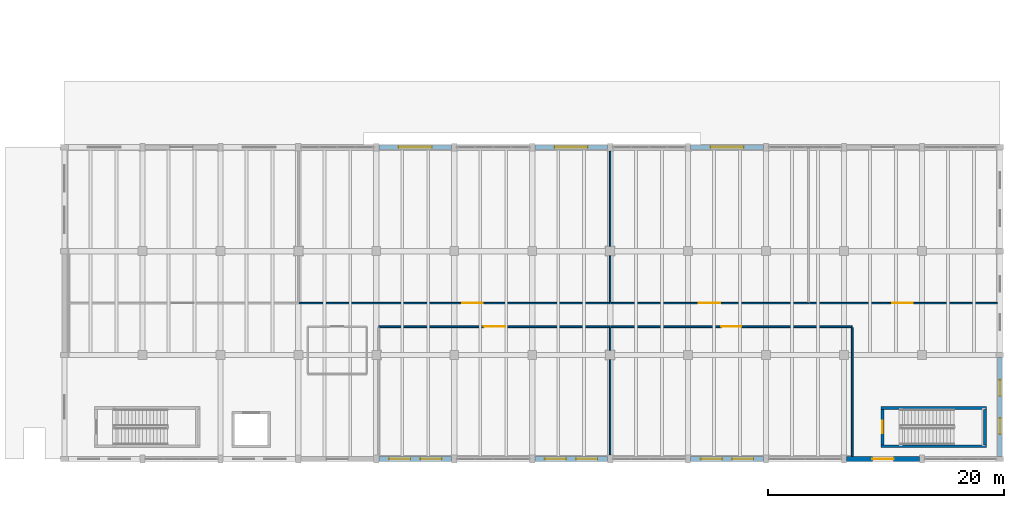
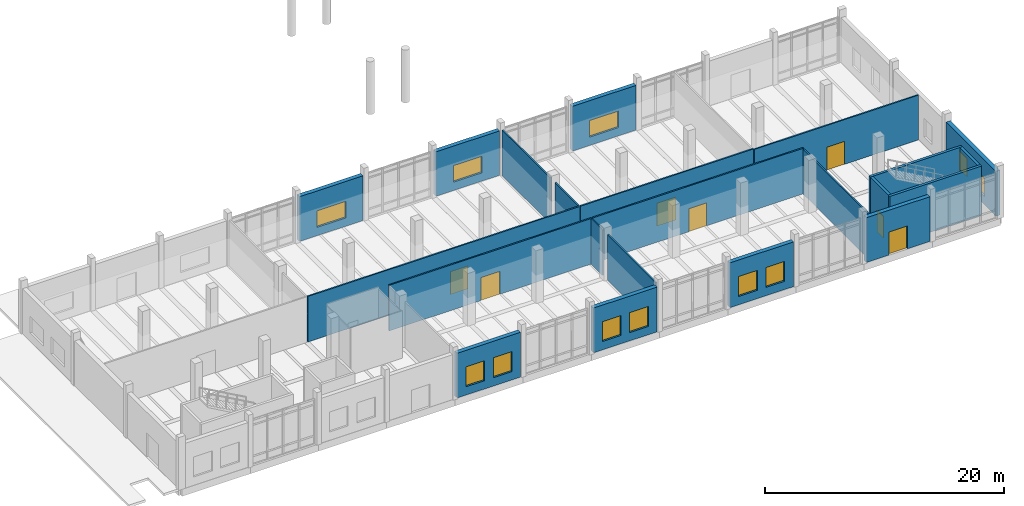
# One storey, part 53 of 72: 22 walls, 11 windows, 7 doors, 18 openings.
"""IFC4 building model written with IfcOpenShell, lengths in metres."""

from ifc_helpers import new_model, si_unit, direction, frame, frame_2d, origin, place, context, subcontext, project, spatial, rectangle, extrude, material, layer, layer_set, type_object, element, fill, save


model = new_model("IFC4")

# Units and contexts
model_context = context("Model", 3, precision=1e-05, world=origin(), true_north=direction((0.0, 1.0)))
body_context = subcontext(model_context, "Body", "Model", "MODEL_VIEW")
ifc_project = project(units=[si_unit("LENGTHUNIT", "METRE"), si_unit("AREAUNIT", "SQUARE_METRE"), si_unit("VOLUMEUNIT", "CUBIC_METRE"), si_unit("PLANEANGLEUNIT", "RADIAN"), si_unit("MASSUNIT", "GRAM", prefix="KILO")], contexts=[model_context])

# Site, building, storey
site_placement = place(None, origin())
site = spatial("IfcSite", under=ifc_project, at=site_placement, CompositionType="ELEMENT")
building_placement = place(site_placement, origin())
building = spatial("IfcBuilding", under=site, at=building_placement, Name="Dornvale Research Institute", CompositionType="ELEMENT")
storey_placement = place(building_placement, origin())
storey = spatial("IfcBuildingStorey", under=building, at=storey_placement, Name="L00", CompositionType="ELEMENT", Elevation=0.0)

# Wall, opening, door
ifc_material_1 = material(Name="Epoxy-Coated Aluminum Honeycomb Cleanroom Partition", Category="aluminium")
ifc_layer_1 = layer(ifc_material_1, 0.139892578125)
ifc_layer_set_1 = layer_set([ifc_layer_1], Name="Epoxy-Coated Aluminum Honeycomb Cleanroom Partition")
wall_type_1 = type_object("IfcWallType", Name="Partition_Cleanroom_140", PredefinedType="PARTITIONING", material=ifc_layer_set_1)
wall_1_placement = place(storey_placement, frame((118.885009765625, 13.199951171875, 0.0), z_axis=(0.0, 0.0, 1.0), x_axis=(1.0, 0.0, 0.0)))
wall_1 = element("IfcWall", 1, at=wall_1_placement, inside=storey, type_object=wall_type_1, Name="L00 V3 interior partition #117", PredefinedType="PARTITIONING", context=body_context, shape_type="SweptSolid", body=[
    extrude(rectangle(XDim=26.31494140625, YDim=0.139892578125, at=frame_2d((13.157470703125, 0.0))), origin(), (0.0, 0.0, 1.0), 4.6650390625),
])
opening_1_placement = place(wall_1_placement, frame((13.804931640625, 0.0, 0.0)))
opening_1 = element("IfcOpeningElement", 2, at=opening_1_placement, cuts=wall_1, Name="Opening ID-03", PredefinedType="OPENING", context=body_context, shape_type="SweptSolid", body=[
    extrude(rectangle(XDim=1.719970703125, YDim=2.35009765625, at=frame_2d((0.85986328125, 1.175048828125))), frame((0.0, 0.0849609375, 0.0), z_axis=(0.0, -1.0, 0.0), x_axis=(1.0, 0.0, 0.0)), (0.0, 0.0, 1.0), 0.169921875),
])
ifc_material_2 = material(Name="Insulated Fire-Rated Hollow Metal Door Assembly")
door_type_1 = type_object("IfcDoorType", Name="Door_CleanBay_1720x2350", OperationType="SINGLE_SWING_LEFT", PredefinedType="DOOR", material=ifc_material_2)
door_1_placement = place(opening_1_placement, origin())
door_1 = element("IfcDoor", 3, at=door_1_placement, inside=storey, type_object=door_type_1, Name="L00 ISO Class 5 Photolithography Cleanroom Bay door #50", OperationType="DOUBLE_DOOR_SINGLE_SWING", OverallHeight=2.35009765625, OverallWidth=1.719970703125, PredefinedType="DOOR", context=body_context, shape_type="SweptSolid", body=[
    extrude(rectangle(XDim=1.719970703125, YDim=2.35009765625, at=frame_2d((0.85986328125, 1.175048828125))), frame((0.0, 0.02490234375, 0.0), z_axis=(0.0, -1.0, 0.0), x_axis=(1.0, 0.0, 0.0)), (0.0, 0.0, 1.0), 0.050048828125),
])
fill(opening_1, door_1)

# Walls
wall_2_placement = place(storey_placement, frame((145.199951171875, 13.284912109375, 0.0), z_axis=(0.0, 0.0, 1.0), x_axis=(0.0, 1.0, 0.0)))
element("IfcWall", 4, at=wall_2_placement, inside=storey, type_object=wall_type_1, Name="L00 V3 interior partition #118", PredefinedType="PARTITIONING", context=body_context, shape_type="SweptSolid", body=[
    extrude(rectangle(XDim=3.920166015625, YDim=0.139892578125, at=frame_2d((1.9599609375, 0.0))), origin(), (0.0, 0.0, 1.0), 4.6650390625),
])
wall_3_placement = place(storey_placement, frame((145.199951171875, 17.9951171875, 0.0), z_axis=(0.0, 0.0, 1.0), x_axis=(0.0, 1.0, 0.0)))
element("IfcWall", 5, at=wall_3_placement, inside=storey, type_object=wall_type_1, Name="L00 V3 interior partition #119", PredefinedType="PARTITIONING", context=body_context, shape_type="SweptSolid", body=[
    extrude(rectangle(XDim=8.059814453125, YDim=0.139892578125, at=frame_2d((4.02978515625, 0.0))), origin(), (0.0, 0.0, 1.0), 4.6650390625),
])

# Wall, opening, door
wall_4_placement = place(storey_placement, frame((145.284912109375, 13.199951171875, 0.0), z_axis=(0.0, 0.0, 1.0), x_axis=(1.0, 0.0, 0.0)))
wall_4 = element("IfcWall", 6, at=wall_4_placement, inside=storey, type_object=wall_type_1, Name="L00 V3 interior partition #120", PredefinedType="PARTITIONING", context=body_context, shape_type="SweptSolid", body=[
    extrude(rectangle(XDim=16.715087890625, YDim=0.139892578125, at=frame_2d((8.357421875, 0.0))), origin(), (0.0, 0.0, 1.0), 4.6650390625),
])
opening_2_placement = place(wall_4_placement, frame((7.405029296875, 0.0, 0.0)))
opening_2 = element("IfcOpeningElement", 7, at=opening_2_placement, cuts=wall_4, Name="Opening ID-02", PredefinedType="OPENING", context=body_context, shape_type="SweptSolid", body=[
    extrude(rectangle(XDim=1.820068359375, YDim=2.35009765625, at=frame_2d((0.91015625, 1.175048828125))), frame((0.0, 0.0849609375, 0.0), z_axis=(0.0, -1.0, 0.0), x_axis=(1.0, 0.0, 0.0)), (0.0, 0.0, 1.0), 0.169921875),
])
ifc_material_3 = material(Name="Insulated Fire-Rated Hollow Metal Door Assembly")
door_type_2 = type_object("IfcDoorType", Name="Door_CleanAirlock_1820x2350", OperationType="SINGLE_SWING_LEFT", PredefinedType="DOOR", material=ifc_material_3)
door_2_placement = place(opening_2_placement, origin())
door_2 = element("IfcDoor", 8, at=door_2_placement, inside=storey, type_object=door_type_2, Name="L00 Electron-Beam Nanofabrication Cleanroom door #51", OperationType="DOUBLE_DOOR_SINGLE_SWING", OverallHeight=2.35009765625, OverallWidth=1.820068359375, PredefinedType="DOOR", context=body_context, shape_type="SweptSolid", body=[
    extrude(rectangle(XDim=1.820068359375, YDim=2.35009765625, at=frame_2d((0.91015625, 1.175048828125))), frame((0.0, 0.02490234375, 0.0), z_axis=(0.0, -1.0, 0.0), x_axis=(1.0, 0.0, 0.0)), (0.0, 0.0, 1.0), 0.050048828125),
])
fill(opening_2, door_2)

wall_5_placement = place(storey_placement, frame((162.0849609375, 13.199951171875, 0.0), z_axis=(0.0, 0.0, 1.0), x_axis=(1.0, 0.0, 0.0)))
wall_5 = element("IfcWall", 9, at=wall_5_placement, inside=storey, type_object=wall_type_1, Name="L00 V3 interior partition #122", PredefinedType="PARTITIONING", context=body_context, shape_type="SweptSolid", body=[
    extrude(rectangle(XDim=15.900146484375, YDim=0.139892578125, at=frame_2d((7.9501953125, 0.0))), origin(), (0.0, 0.0, 1.0), 4.580078125),
])
opening_3_placement = place(wall_5_placement, frame((7.014892578125, 0.0, 0.0)))
opening_3 = element("IfcOpeningElement", 10, at=opening_3_placement, cuts=wall_5, Name="Opening ID-03", PredefinedType="OPENING", context=body_context, shape_type="SweptSolid", body=[
    extrude(rectangle(XDim=1.719970703125, YDim=2.35009765625, at=frame_2d((0.85986328125, 1.175048828125))), frame((0.0, 0.0849609375, 0.0), z_axis=(0.0, -1.0, 0.0), x_axis=(1.0, 0.0, 0.0)), (0.0, 0.0, 1.0), 0.169921875),
])
door_3_placement = place(opening_3_placement, origin())
door_3 = element("IfcDoor", 11, at=door_3_placement, inside=storey, type_object=door_type_1, Name="L00 Atomic Force Metrology Suite door #52", OperationType="DOUBLE_DOOR_SINGLE_SWING", OverallHeight=2.35009765625, OverallWidth=1.719970703125, PredefinedType="DOOR", context=body_context, shape_type="SweptSolid", body=[
    extrude(rectangle(XDim=1.719970703125, YDim=2.35009765625, at=frame_2d((0.85986328125, 1.175048828125))), frame((0.0, 0.02490234375, 0.0), z_axis=(0.0, -1.0, 0.0), x_axis=(1.0, 0.0, 0.0)), (0.0, 0.0, 1.0), 0.050048828125),
])
fill(opening_3, door_3)

wall_6_placement = place(storey_placement, frame((125.60009765625, 11.199951171875, 0.0), z_axis=(0.0, 0.0, 1.0), x_axis=(1.0, 0.0, 0.0)))
wall_6 = element("IfcWall", 12, at=wall_6_placement, inside=storey, type_object=wall_type_1, Name="L00 V3 interior partition #123", PredefinedType="PARTITIONING", context=body_context, shape_type="SweptSolid", body=[
    extrude(rectangle(XDim=19.599853515625, YDim=0.139892578125, at=frame_2d((9.7998046875, 0.0))), origin(), (0.0, 0.0, 1.0), 4.6650390625),
])
opening_4_placement = place(wall_6_placement, frame((8.889892578125, 0.0, 0.0)))
opening_4 = element("IfcOpeningElement", 13, at=opening_4_placement, cuts=wall_6, Name="Opening ID-02", PredefinedType="OPENING", context=body_context, shape_type="SweptSolid", body=[
    extrude(rectangle(XDim=1.820068359375, YDim=2.35009765625, at=frame_2d((0.91015625, 1.175048828125))), frame((0.0, 0.0849609375, 0.0), z_axis=(0.0, -1.0, 0.0), x_axis=(1.0, 0.0, 0.0)), (0.0, 0.0, 1.0), 0.169921875),
])
door_4_placement = place(opening_4_placement, origin())
door_4 = element("IfcDoor", 14, at=door_4_placement, inside=storey, type_object=door_type_2, Name="L00 Cleanroom Return-Air Service Chase L00 door #53", OperationType="DOUBLE_DOOR_SINGLE_SWING", OverallHeight=2.35009765625, OverallWidth=1.820068359375, PredefinedType="DOOR", context=body_context, shape_type="SweptSolid", body=[
    extrude(rectangle(XDim=1.820068359375, YDim=2.35009765625, at=frame_2d((0.91015625, 1.175048828125))), frame((0.0, 0.02490234375, 0.0), z_axis=(0.0, -1.0, 0.0), x_axis=(1.0, 0.0, 0.0)), (0.0, 0.0, 1.0), 0.050048828125),
])
fill(opening_4, door_4)

# Walls
wall_7_placement = place(storey_placement, frame((145.199951171875, 0.344970703125, 0.0), z_axis=(0.0, 0.0, 1.0), x_axis=(0.0, 1.0, 0.0)))
element("IfcWall", 15, at=wall_7_placement, inside=storey, type_object=wall_type_1, Name="L00 V3 interior partition #126", PredefinedType="PARTITIONING", context=body_context, shape_type="SweptSolid", body=[
    extrude(rectangle(XDim=8.06005859375, YDim=0.139892578125, at=frame_2d((4.030029296875, 0.0))), origin(), (0.0, 0.0, 1.0), 4.6650390625),
])
wall_8_placement = place(storey_placement, frame((145.199951171875, 9.195068359375, 0.0), z_axis=(0.0, 0.0, 1.0), x_axis=(0.0, 1.0, 0.0)))
element("IfcWall", 16, at=wall_8_placement, inside=storey, type_object=wall_type_1, Name="L00 V3 interior partition #127", PredefinedType="PARTITIONING", context=body_context, shape_type="SweptSolid", body=[
    extrude(rectangle(XDim=1.919921875, YDim=0.139892578125, at=frame_2d((0.9599609375, 0.0))), origin(), (0.0, 0.0, 1.0), 4.6650390625),
])

# Wall, opening, door
wall_9_placement = place(storey_placement, frame((145.284912109375, 11.199951171875, 0.0), z_axis=(0.0, 0.0, 1.0), x_axis=(1.0, 0.0, 0.0)))
wall_9 = element("IfcWall", 17, at=wall_9_placement, inside=storey, type_object=wall_type_1, Name="L00 V3 interior partition #128", PredefinedType="PARTITIONING", context=body_context, shape_type="SweptSolid", body=[
    extrude(rectangle(XDim=20.4150390625, YDim=0.139892578125, at=frame_2d((10.20751953125, 0.0))), origin(), (0.0, 0.0, 1.0), 4.6650390625),
])
opening_5_placement = place(wall_9_placement, frame((9.304931640625, 0.0, 0.0)))
opening_5 = element("IfcOpeningElement", 18, at=opening_5_placement, cuts=wall_9, Name="Opening ID-03", PredefinedType="OPENING", context=body_context, shape_type="SweptSolid", body=[
    extrude(rectangle(XDim=1.719970703125, YDim=2.35009765625, at=frame_2d((0.85986328125, 1.175048828125))), frame((0.0, 0.0849609375, 0.0), z_axis=(0.0, -1.0, 0.0), x_axis=(1.0, 0.0, 0.0)), (0.0, 0.0, 1.0), 0.169921875),
])
door_5_placement = place(opening_5_placement, origin())
door_5 = element("IfcDoor", 19, at=door_5_placement, inside=storey, type_object=door_type_1, Name="L00 Nanometrology Calibration Suite L00 door #54", OperationType="DOUBLE_DOOR_SINGLE_SWING", OverallHeight=2.35009765625, OverallWidth=1.719970703125, PredefinedType="DOOR", context=body_context, shape_type="SweptSolid", body=[
    extrude(rectangle(XDim=1.719970703125, YDim=2.35009765625, at=frame_2d((0.85986328125, 1.175048828125))), frame((0.0, 0.02490234375, 0.0), z_axis=(0.0, -1.0, 0.0), x_axis=(1.0, 0.0, 0.0)), (0.0, 0.0, 1.0), 0.050048828125),
])
fill(opening_5, door_5)

# Walls
wall_10_placement = place(storey_placement, frame((165.699951171875, 0.215087890625, 0.0), z_axis=(0.0, 0.0, 1.0), x_axis=(0.0, 1.0, 0.0)))
element("IfcWall", 20, at=wall_10_placement, inside=storey, type_object=wall_type_1, Name="L00 V3 interior partition #129", PredefinedType="PARTITIONING", context=body_context, shape_type="SweptSolid", body=[
    extrude(rectangle(XDim=10.89990234375, YDim=0.139892578125, at=frame_2d((5.449951171875, 0.0))), origin(), (0.0, 0.0, 1.0), 4.580078125),
])
ifc_material_4 = material(Name="Concrete f'c 45 MPa (C35/45)", Category="concrete")
ifc_layer_2 = layer(ifc_material_4, 0.25)
ifc_layer_set_2 = layer_set([ifc_layer_2], Name="Concrete f'c 45 MPa (C35/45)")
wall_type_2 = type_object("IfcWallType", Name="ShearWall_Core_250", PredefinedType="SHEAR", material=ifc_layer_set_2)
for number, where, z_axis, x_axis, name in (
    (21, (168.14990234375, 1.074951171875, 0.0), (0.0, 0.0, 1.0), (1.0, 0.0, 0.0), "L00 ST-6 shaft shear wall south"),
    (22, (168.14990234375, 4.324951171875, 0.0), (0.0, 0.0, 1.0), (1.0, 0.0, 0.0), "L00 ST-6 shaft shear wall north"),
):
    element("IfcWall", number, at=place(storey_placement, frame(where, z_axis=z_axis, x_axis=x_axis)), inside=storey, type_object=wall_type_2, Name=name, PredefinedType="SHEAR", context=body_context, shape_type="SweptSolid", body=[
        extrude(rectangle(XDim=8.900146484375, YDim=0.25, at=frame_2d((4.4501953125, 0.0))), origin(), (0.0, 0.0, 1.0), 5.0400390625),
    ])

# Wall, opening, door
wall_11_placement = place(storey_placement, frame((168.27490234375, 1.199951171875, 0.0), z_axis=(0.0, 0.0, 1.0), x_axis=(0.0, 1.0, 0.0)))
wall_11 = element("IfcWall", 23, at=wall_11_placement, inside=storey, type_object=wall_type_2, Name="L00 ST-6 shaft shear wall west", PredefinedType="SHEAR", context=body_context, shape_type="SweptSolid", body=[
    extrude(rectangle(XDim=3.0, YDim=0.25, at=frame_2d((1.5, 0.0))), origin(), (0.0, 0.0, 1.0), 5.0400390625),
])
opening_6_placement = place(wall_11_placement, frame((0.9599609375, 0.0, 0.0)))
opening_6 = element("IfcOpeningElement", 24, at=opening_6_placement, cuts=wall_11, Name="Opening SD-02", PredefinedType="OPENING", context=body_context, shape_type="SweptSolid", body=[
    extrude(rectangle(XDim=1.080078125, YDim=2.199951171875, at=frame_2d((0.5400390625, 1.10009765625))), frame((0.0, 0.139892578125, 0.0), z_axis=(0.0, -1.0, 0.0), x_axis=(1.0, 0.0, 0.0)), (0.0, 0.0, 1.0), 0.280029296875),
])
ifc_material_5 = material(Name="Insulated Fire-Rated Hollow Metal Door Assembly")
door_type_3 = type_object("IfcDoorType", Name="Door_Stair_1080x2200", OperationType="SINGLE_SWING_LEFT", PredefinedType="DOOR", material=ifc_material_5)
door_6_placement = place(opening_6_placement, origin())
door_6 = element("IfcDoor", 25, at=door_6_placement, inside=storey, type_object=door_type_3, Name="L00 ST-6 exit stair door #47", OperationType="SINGLE_SWING_LEFT", OverallHeight=2.199951171875, OverallWidth=1.080078125, PredefinedType="DOOR", context=body_context, shape_type="SweptSolid", body=[
    extrude(rectangle(XDim=1.080078125, YDim=2.199951171875, at=frame_2d((0.5400390625, 1.10009765625))), frame((0.0, 0.02490234375, 0.0), z_axis=(0.0, -1.0, 0.0), x_axis=(1.0, 0.0, 0.0)), (0.0, 0.0, 1.0), 0.050048828125),
])
fill(opening_6, door_6)

# Wall
wall_12_placement = place(storey_placement, frame((176.925048828125, 1.199951171875, 0.0), z_axis=(0.0, 0.0, 1.0), x_axis=(0.0, 1.0, 0.0)))
element("IfcWall", 26, at=wall_12_placement, inside=storey, type_object=wall_type_2, Name="L00 ST-6 shaft shear wall east", PredefinedType="SHEAR", context=body_context, shape_type="SweptSolid", body=[
    extrude(rectangle(XDim=3.0, YDim=0.25, at=frame_2d((1.5, 0.0))), origin(), (0.0, 0.0, 1.0), 5.0400390625),
])

# Wall, opening, window
ifc_material_6 = material(Name="Precast Concrete f'c 40 MPa (C32/40) and Glazed Terracotta Backup Wall", Category="masonry")
ifc_layer_3 = layer(ifc_material_6, 0.39990234375)
ifc_layer_set_3 = layer_set([ifc_layer_3], Name="Precast Concrete f'c 40 MPa (C32/40) and Glazed Terracotta Backup Wall")
wall_type_3 = type_object("IfcWallType", Name="StandardWall_CleanroomExt_400", PredefinedType="STANDARD", material=ifc_layer_set_3)
wall_13_placement = place(storey_placement, frame((125.625, 26.39990234375, 0.0), z_axis=(0.0, 0.0, 1.0), x_axis=(1.0, 0.0, 0.0)))
wall_13 = element("IfcWall", 27, at=wall_13_placement, inside=storey, type_object=wall_type_3, Name="L00 V3 north exterior wall #116", PredefinedType="STANDARD", context=body_context, shape_type="SweptSolid", body=[
    extrude(rectangle(XDim=6.14990234375, YDim=0.39990234375, at=frame_2d((3.074951171875, 0.0))), origin(), (0.0, 0.0, 1.0), 4.580078125),
])
opening_7_placement = place(wall_13_placement, frame((1.675048828125, 0.0, 0.85009765625)))
opening_7 = element("IfcOpeningElement", 28, at=opening_7_placement, cuts=wall_13, Name="Opening W-23", PredefinedType="OPENING", context=body_context, shape_type="SweptSolid", body=[
    extrude(rectangle(XDim=2.800048828125, YDim=1.699951171875, at=frame_2d((1.39990234375, 0.85009765625))), frame((0.0, 0.21484375, 0.0), z_axis=(0.0, -1.0, 0.0), x_axis=(1.0, 0.0, 0.0)), (0.0, 0.0, 1.0), 0.429931640625),
])
ifc_material_7 = material(Name="Low-E Argon Double Insulating Glazing Unit", Category="glass")
window_type_1 = type_object("IfcWindowType", Name="Window_Alu_2800x1700_23", PartitioningType="DOUBLE_PANEL_VERTICAL", PredefinedType="WINDOW", material=ifc_material_7)
window_1_placement = place(opening_7_placement, origin())
window_1 = element("IfcWindow", 29, at=window_1_placement, inside=storey, type_object=window_type_1, Name="L00 V3 facade window W-23 #144", OverallHeight=1.699951171875, OverallWidth=2.800048828125, PartitioningType="DOUBLE_PANEL_VERTICAL", PredefinedType="WINDOW", context=body_context, shape_type="SweptSolid", body=[
    extrude(rectangle(XDim=2.800048828125, YDim=1.699951171875, at=frame_2d((1.39990234375, 0.85009765625))), frame((0.0, 0.030029296875, 0.0), z_axis=(0.0, -1.0, 0.0), x_axis=(1.0, 0.0, 0.0)), (0.0, 0.0, 1.0), 0.06005859375),
])
fill(opening_7, window_1)

wall_14_placement = place(storey_placement, frame((138.824951171875, 26.39990234375, 0.0), z_axis=(0.0, 0.0, 1.0), x_axis=(1.0, 0.0, 0.0)))
wall_14 = element("IfcWall", 30, at=wall_14_placement, inside=storey, type_object=wall_type_3, Name="L00 V3 north exterior wall #117", PredefinedType="STANDARD", context=body_context, shape_type="SweptSolid", body=[
    extrude(rectangle(XDim=6.150146484375, YDim=0.39990234375, at=frame_2d((3.0751953125, 0.0))), origin(), (0.0, 0.0, 1.0), 4.548095703125),
])
opening_8_placement = place(wall_14_placement, frame((1.675048828125, 0.0, 0.85009765625)))
opening_8 = element("IfcOpeningElement", 31, at=opening_8_placement, cuts=wall_14, Name="Opening W-23", PredefinedType="OPENING", context=body_context, shape_type="SweptSolid", body=[
    extrude(rectangle(XDim=2.800048828125, YDim=1.699951171875, at=frame_2d((1.39990234375, 0.85009765625))), frame((0.0, 0.21484375, 0.0), z_axis=(0.0, -1.0, 0.0), x_axis=(1.0, 0.0, 0.0)), (0.0, 0.0, 1.0), 0.429931640625),
])
window_2_placement = place(opening_8_placement, origin())
window_2 = element("IfcWindow", 32, at=window_2_placement, inside=storey, type_object=window_type_1, Name="L00 V3 facade window W-23 #145", OverallHeight=1.699951171875, OverallWidth=2.800048828125, PartitioningType="DOUBLE_PANEL_VERTICAL", PredefinedType="WINDOW", context=body_context, shape_type="SweptSolid", body=[
    extrude(rectangle(XDim=2.800048828125, YDim=1.699951171875, at=frame_2d((1.39990234375, 0.85009765625))), frame((0.0, 0.030029296875, 0.0), z_axis=(0.0, -1.0, 0.0), x_axis=(1.0, 0.0, 0.0)), (0.0, 0.0, 1.0), 0.06005859375),
])
fill(opening_8, window_2)

wall_15_placement = place(storey_placement, frame((152.02490234375, 26.39990234375, 0.0), z_axis=(0.0, 0.0, 1.0), x_axis=(1.0, 0.0, 0.0)))
wall_15 = element("IfcWall", 33, at=wall_15_placement, inside=storey, type_object=wall_type_3, Name="L00 V3 north exterior wall #118", PredefinedType="STANDARD", context=body_context, shape_type="SweptSolid", body=[
    extrude(rectangle(XDim=6.150146484375, YDim=0.39990234375, at=frame_2d((3.0751953125, 0.0))), origin(), (0.0, 0.0, 1.0), 4.580078125),
])
opening_9_placement = place(wall_15_placement, frame((1.675048828125, 0.0, 0.85009765625)))
opening_9 = element("IfcOpeningElement", 34, at=opening_9_placement, cuts=wall_15, Name="Opening W-23", PredefinedType="OPENING", context=body_context, shape_type="SweptSolid", body=[
    extrude(rectangle(XDim=2.800048828125, YDim=1.699951171875, at=frame_2d((1.39990234375, 0.85009765625))), frame((0.0, 0.21484375, 0.0), z_axis=(0.0, -1.0, 0.0), x_axis=(1.0, 0.0, 0.0)), (0.0, 0.0, 1.0), 0.429931640625),
])
window_3_placement = place(opening_9_placement, origin())
window_3 = element("IfcWindow", 35, at=window_3_placement, inside=storey, type_object=window_type_1, Name="L00 V3 facade window W-23 #146", OverallHeight=1.699951171875, OverallWidth=2.800048828125, PartitioningType="DOUBLE_PANEL_VERTICAL", PredefinedType="WINDOW", context=body_context, shape_type="SweptSolid", body=[
    extrude(rectangle(XDim=2.800048828125, YDim=1.699951171875, at=frame_2d((1.39990234375, 0.85009765625))), frame((0.0, 0.030029296875, 0.0), z_axis=(0.0, -1.0, 0.0), x_axis=(1.0, 0.0, 0.0)), (0.0, 0.0, 1.0), 0.06005859375),
])
fill(opening_9, window_3)

# Wall, openings, windows
wall_16_placement = place(storey_placement, frame((178.199951171875, 8.574951171875, 0.0), z_axis=(0.0, 0.0, 1.0), x_axis=(0.0, -1.0, 0.0)))
wall_16 = element("IfcWall", 36, at=wall_16_placement, inside=storey, type_object=wall_type_3, Name="L00 V3 east exterior wall #122", PredefinedType="STANDARD", context=body_context, shape_type="SweptSolid", body=[
    extrude(rectangle(XDim=8.349853515625, YDim=0.39990234375, at=frame_2d((4.1748046875, 0.0))), origin(), (0.0, 0.0, 1.0), 4.580078125),
])
opening_10_placement = place(wall_16_placement, frame((1.88330078125, 0.0, 0.85009765625)))
opening_10 = element("IfcOpeningElement", 37, at=opening_10_placement, cuts=wall_16, Name="Opening W-26", PredefinedType="OPENING", context=body_context, shape_type="SweptSolid", body=[
    extrude(rectangle(XDim=1.35009765625, YDim=1.8798828125, at=frame_2d((0.675048828125, 0.93994140625))), frame((0.0, 0.21484375, 0.0), z_axis=(0.0, -1.0, 0.0), x_axis=(1.0, 0.0, 0.0)), (0.0, 0.0, 1.0), 0.429931640625),
])
opening_11_placement = place(wall_16_placement, frame((5.11669921875, 0.0, 0.85009765625)))
opening_11 = element("IfcOpeningElement", 38, at=opening_11_placement, cuts=wall_16, Name="Opening W-26", PredefinedType="OPENING", context=body_context, shape_type="SweptSolid", body=[
    extrude(rectangle(XDim=1.35009765625, YDim=1.8798828125, at=frame_2d((0.675048828125, 0.93994140625))), frame((0.0, 0.21484375, 0.0), z_axis=(0.0, -1.0, 0.0), x_axis=(1.0, 0.0, 0.0)), (0.0, 0.0, 1.0), 0.429931640625),
])
ifc_material_8 = material(Name="Low-E Argon Double Insulating Glazing Unit", Category="glass")
window_type_2 = type_object("IfcWindowType", Name="Window_Alu_1350x1880_26", PartitioningType="SINGLE_PANEL", PredefinedType="WINDOW", material=ifc_material_8)
window_4_placement = place(opening_10_placement, origin())
window_4 = element("IfcWindow", 39, at=window_4_placement, inside=storey, type_object=window_type_2, Name="L00 V3 facade window W-26 #151", OverallHeight=1.8798828125, OverallWidth=1.35009765625, PartitioningType="SINGLE_PANEL", PredefinedType="WINDOW", context=body_context, shape_type="SweptSolid", body=[
    extrude(rectangle(XDim=1.35009765625, YDim=1.8798828125, at=frame_2d((0.675048828125, 0.93994140625))), frame((0.0, 0.030029296875, 0.0), z_axis=(0.0, -1.0, 0.0), x_axis=(1.0, 0.0, 0.0)), (0.0, 0.0, 1.0), 0.06005859375),
])
fill(opening_10, window_4)
window_5_placement = place(opening_11_placement, origin())
window_5 = element("IfcWindow", 40, at=window_5_placement, inside=storey, type_object=window_type_2, Name="L00 V3 facade window W-26 #152", OverallHeight=1.8798828125, OverallWidth=1.35009765625, PartitioningType="SINGLE_PANEL", PredefinedType="WINDOW", context=body_context, shape_type="SweptSolid", body=[
    extrude(rectangle(XDim=1.35009765625, YDim=1.8798828125, at=frame_2d((0.675048828125, 0.93994140625))), frame((0.0, 0.030029296875, 0.0), z_axis=(0.0, -1.0, 0.0), x_axis=(1.0, 0.0, 0.0)), (0.0, 0.0, 1.0), 0.06005859375),
])
fill(opening_11, window_5)

# Wall, opening, door
wall_17_placement = place(storey_placement, frame((171.375, 0.0, 0.0), z_axis=(0.0, 0.0, 1.0), x_axis=(-1.0, 0.0, 0.0)))
wall_17 = element("IfcWall", 41, at=wall_17_placement, inside=storey, type_object=wall_type_3, Name="L00 V3 south exterior wall #123", PredefinedType="STANDARD", context=body_context, shape_type="SweptSolid", body=[
    extrude(rectangle(XDim=6.14990234375, YDim=0.39990234375, at=frame_2d((3.074951171875, 0.0))), origin(), (0.0, 0.0, 1.0), 4.580078125),
])
opening_12_placement = place(wall_17_placement, frame((2.175048828125, 0.0, 0.0)))
opening_12 = element("IfcOpeningElement", 42, at=opening_12_placement, cuts=wall_17, Name="Opening ED-06", PredefinedType="OPENING", context=body_context, shape_type="SweptSolid", body=[
    extrude(rectangle(XDim=1.800048828125, YDim=2.35009765625, at=frame_2d((0.89990234375, 1.175048828125))), frame((0.0, 0.21484375, 0.0), z_axis=(0.0, -1.0, 0.0), x_axis=(1.0, 0.0, 0.0)), (0.0, 0.0, 1.0), 0.429931640625),
])
ifc_material_9 = material(Name="Galvanized Hollow Metal Insulated Door Assembly")
door_type_4 = type_object("IfcDoorType", Name="Door_ExtExit_1800x2350", OperationType="SINGLE_SWING_LEFT", PredefinedType="DOOR", material=ifc_material_9)
door_7_placement = place(opening_12_placement, origin())
door_7 = element("IfcDoor", 43, at=door_7_placement, inside=storey, type_object=door_type_4, Name="L00 V3 final exit door ED-06 #17", OperationType="DOUBLE_DOOR_SINGLE_SWING", OverallHeight=2.35009765625, OverallWidth=1.800048828125, PredefinedType="DOOR", context=body_context, shape_type="SweptSolid", body=[
    extrude(rectangle(XDim=1.800048828125, YDim=2.35009765625, at=frame_2d((0.89990234375, 1.175048828125))), frame((0.0, 0.02490234375, 0.0), z_axis=(0.0, -1.0, 0.0), x_axis=(1.0, 0.0, 0.0)), (0.0, 0.0, 1.0), 0.050048828125),
])
fill(opening_12, door_7)

# Wall, openings, windows
wall_18_placement = place(storey_placement, frame((158.175048828125, 0.0, 0.0), z_axis=(0.0, 0.0, 1.0), x_axis=(-1.0, 0.0, 0.0)))
wall_18 = element("IfcWall", 44, at=wall_18_placement, inside=storey, type_object=wall_type_3, Name="L00 V3 south exterior wall #124", PredefinedType="STANDARD", context=body_context, shape_type="SweptSolid", body=[
    extrude(rectangle(XDim=6.150146484375, YDim=0.39990234375, at=frame_2d((3.0751953125, 0.0))), origin(), (0.0, 0.0, 1.0), 4.580078125),
])
opening_13_placement = place(wall_18_placement, frame((0.85009765625, 0.0, 0.85009765625)))
opening_13 = element("IfcOpeningElement", 45, at=opening_13_placement, cuts=wall_18, Name="Opening W-29", PredefinedType="OPENING", context=body_context, shape_type="SweptSolid", body=[
    extrude(rectangle(XDim=1.800048828125, YDim=2.0400390625, at=frame_2d((0.89990234375, 1.02001953125))), frame((0.0, 0.21484375, 0.0), z_axis=(0.0, -1.0, 0.0), x_axis=(1.0, 0.0, 0.0)), (0.0, 0.0, 1.0), 0.429931640625),
])
opening_14_placement = place(wall_18_placement, frame((3.5, 0.0, 0.85009765625)))
opening_14 = element("IfcOpeningElement", 46, at=opening_14_placement, cuts=wall_18, Name="Opening W-29", PredefinedType="OPENING", context=body_context, shape_type="SweptSolid", body=[
    extrude(rectangle(XDim=1.800048828125, YDim=2.0400390625, at=frame_2d((0.89990234375, 1.02001953125))), frame((0.0, 0.21484375, 0.0), z_axis=(0.0, -1.0, 0.0), x_axis=(1.0, 0.0, 0.0)), (0.0, 0.0, 1.0), 0.429931640625),
])
ifc_material_10 = material(Name="Low-E Argon Double Insulating Glazing Unit", Category="glass")
window_type_3 = type_object("IfcWindowType", Name="Window_Alu_1800x2040_29", PartitioningType="DOUBLE_PANEL_VERTICAL", PredefinedType="WINDOW", material=ifc_material_10)
window_6_placement = place(opening_13_placement, origin())
window_6 = element("IfcWindow", 47, at=window_6_placement, inside=storey, type_object=window_type_3, Name="L00 V3 facade window W-29 #153", OverallHeight=2.0400390625, OverallWidth=1.800048828125, PartitioningType="DOUBLE_PANEL_VERTICAL", PredefinedType="WINDOW", context=body_context, shape_type="SweptSolid", body=[
    extrude(rectangle(XDim=1.800048828125, YDim=2.0400390625, at=frame_2d((0.89990234375, 1.02001953125))), frame((0.0, 0.030029296875, 0.0), z_axis=(0.0, -1.0, 0.0), x_axis=(1.0, 0.0, 0.0)), (0.0, 0.0, 1.0), 0.06005859375),
])
fill(opening_13, window_6)
window_7_placement = place(opening_14_placement, origin())
window_7 = element("IfcWindow", 48, at=window_7_placement, inside=storey, type_object=window_type_3, Name="L00 V3 facade window W-29 #154", OverallHeight=2.0400390625, OverallWidth=1.800048828125, PartitioningType="DOUBLE_PANEL_VERTICAL", PredefinedType="WINDOW", context=body_context, shape_type="SweptSolid", body=[
    extrude(rectangle(XDim=1.800048828125, YDim=2.0400390625, at=frame_2d((0.89990234375, 1.02001953125))), frame((0.0, 0.030029296875, 0.0), z_axis=(0.0, -1.0, 0.0), x_axis=(1.0, 0.0, 0.0)), (0.0, 0.0, 1.0), 0.06005859375),
])
fill(opening_14, window_7)

wall_19_placement = place(storey_placement, frame((144.97509765625, 0.0, 0.0), z_axis=(0.0, 0.0, 1.0), x_axis=(-1.0, 0.0, 0.0)))
wall_19 = element("IfcWall", 49, at=wall_19_placement, inside=storey, type_object=wall_type_3, Name="L00 V3 south exterior wall #125", PredefinedType="STANDARD", context=body_context, shape_type="SweptSolid", body=[
    extrude(rectangle(XDim=6.150146484375, YDim=0.39990234375, at=frame_2d((3.0751953125, 0.0))), origin(), (0.0, 0.0, 1.0), 4.580078125),
])
opening_15_placement = place(wall_19_placement, frame((0.85009765625, 0.0, 0.85009765625)))
opening_15 = element("IfcOpeningElement", 50, at=opening_15_placement, cuts=wall_19, Name="Opening W-29", PredefinedType="OPENING", context=body_context, shape_type="SweptSolid", body=[
    extrude(rectangle(XDim=1.800048828125, YDim=2.0400390625, at=frame_2d((0.89990234375, 1.02001953125))), frame((0.0, 0.21484375, 0.0), z_axis=(0.0, -1.0, 0.0), x_axis=(1.0, 0.0, 0.0)), (0.0, 0.0, 1.0), 0.429931640625),
])
opening_16_placement = place(wall_19_placement, frame((3.5, 0.0, 0.85009765625)))
opening_16 = element("IfcOpeningElement", 51, at=opening_16_placement, cuts=wall_19, Name="Opening W-29", PredefinedType="OPENING", context=body_context, shape_type="SweptSolid", body=[
    extrude(rectangle(XDim=1.800048828125, YDim=2.0400390625, at=frame_2d((0.89990234375, 1.02001953125))), frame((0.0, 0.21484375, 0.0), z_axis=(0.0, -1.0, 0.0), x_axis=(1.0, 0.0, 0.0)), (0.0, 0.0, 1.0), 0.429931640625),
])
window_8_placement = place(opening_15_placement, origin())
window_8 = element("IfcWindow", 52, at=window_8_placement, inside=storey, type_object=window_type_3, Name="L00 V3 facade window W-29 #155", OverallHeight=2.0400390625, OverallWidth=1.800048828125, PartitioningType="DOUBLE_PANEL_VERTICAL", PredefinedType="WINDOW", context=body_context, shape_type="SweptSolid", body=[
    extrude(rectangle(XDim=1.800048828125, YDim=2.0400390625, at=frame_2d((0.89990234375, 1.02001953125))), frame((0.0, 0.030029296875, 0.0), z_axis=(0.0, -1.0, 0.0), x_axis=(1.0, 0.0, 0.0)), (0.0, 0.0, 1.0), 0.06005859375),
])
fill(opening_15, window_8)
window_9_placement = place(opening_16_placement, origin())
window_9 = element("IfcWindow", 53, at=window_9_placement, inside=storey, type_object=window_type_3, Name="L00 V3 facade window W-29 #156", OverallHeight=2.0400390625, OverallWidth=1.800048828125, PartitioningType="DOUBLE_PANEL_VERTICAL", PredefinedType="WINDOW", context=body_context, shape_type="SweptSolid", body=[
    extrude(rectangle(XDim=1.800048828125, YDim=2.0400390625, at=frame_2d((0.89990234375, 1.02001953125))), frame((0.0, 0.030029296875, 0.0), z_axis=(0.0, -1.0, 0.0), x_axis=(1.0, 0.0, 0.0)), (0.0, 0.0, 1.0), 0.06005859375),
])
fill(opening_16, window_9)

wall_20_placement = place(storey_placement, frame((131.77490234375, 0.0, 0.0), z_axis=(0.0, 0.0, 1.0), x_axis=(-1.0, 0.0, 0.0)))
wall_20 = element("IfcWall", 54, at=wall_20_placement, inside=storey, type_object=wall_type_3, Name="L00 V3 south exterior wall #126", PredefinedType="STANDARD", context=body_context, shape_type="SweptSolid", body=[
    extrude(rectangle(XDim=6.14990234375, YDim=0.39990234375, at=frame_2d((3.074951171875, 0.0))), origin(), (0.0, 0.0, 1.0), 4.580078125),
])
opening_17_placement = place(wall_20_placement, frame((0.85009765625, 0.0, 0.85009765625)))
opening_17 = element("IfcOpeningElement", 55, at=opening_17_placement, cuts=wall_20, Name="Opening W-29", PredefinedType="OPENING", context=body_context, shape_type="SweptSolid", body=[
    extrude(rectangle(XDim=1.800048828125, YDim=2.0400390625, at=frame_2d((0.89990234375, 1.02001953125))), frame((0.0, 0.21484375, 0.0), z_axis=(0.0, -1.0, 0.0), x_axis=(1.0, 0.0, 0.0)), (0.0, 0.0, 1.0), 0.429931640625),
])
opening_18_placement = place(wall_20_placement, frame((3.5, 0.0, 0.85009765625)))
opening_18 = element("IfcOpeningElement", 56, at=opening_18_placement, cuts=wall_20, Name="Opening W-29", PredefinedType="OPENING", context=body_context, shape_type="SweptSolid", body=[
    extrude(rectangle(XDim=1.800048828125, YDim=2.0400390625, at=frame_2d((0.89990234375, 1.02001953125))), frame((0.0, 0.21484375, 0.0), z_axis=(0.0, -1.0, 0.0), x_axis=(1.0, 0.0, 0.0)), (0.0, 0.0, 1.0), 0.429931640625),
])
window_10_placement = place(opening_17_placement, origin())
window_10 = element("IfcWindow", 57, at=window_10_placement, inside=storey, type_object=window_type_3, Name="L00 V3 facade window W-29 #157", OverallHeight=2.0400390625, OverallWidth=1.800048828125, PartitioningType="DOUBLE_PANEL_VERTICAL", PredefinedType="WINDOW", context=body_context, shape_type="SweptSolid", body=[
    extrude(rectangle(XDim=1.800048828125, YDim=2.0400390625, at=frame_2d((0.89990234375, 1.02001953125))), frame((0.0, 0.030029296875, 0.0), z_axis=(0.0, -1.0, 0.0), x_axis=(1.0, 0.0, 0.0)), (0.0, 0.0, 1.0), 0.06005859375),
])
fill(opening_17, window_10)
window_11_placement = place(opening_18_placement, origin())
window_11 = element("IfcWindow", 58, at=window_11_placement, inside=storey, type_object=window_type_3, Name="L00 V3 facade window W-29 #158", OverallHeight=2.0400390625, OverallWidth=1.800048828125, PartitioningType="DOUBLE_PANEL_VERTICAL", PredefinedType="WINDOW", context=body_context, shape_type="SweptSolid", body=[
    extrude(rectangle(XDim=1.800048828125, YDim=2.0400390625, at=frame_2d((0.89990234375, 1.02001953125))), frame((0.0, 0.030029296875, 0.0), z_axis=(0.0, -1.0, 0.0), x_axis=(1.0, 0.0, 0.0)), (0.0, 0.0, 1.0), 0.06005859375),
])
fill(opening_18, window_11)

save(model, "model.ifc")
